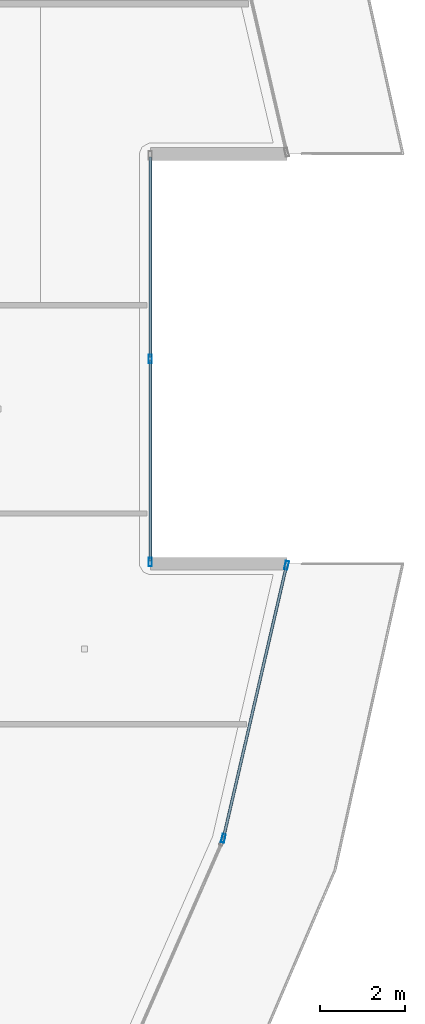
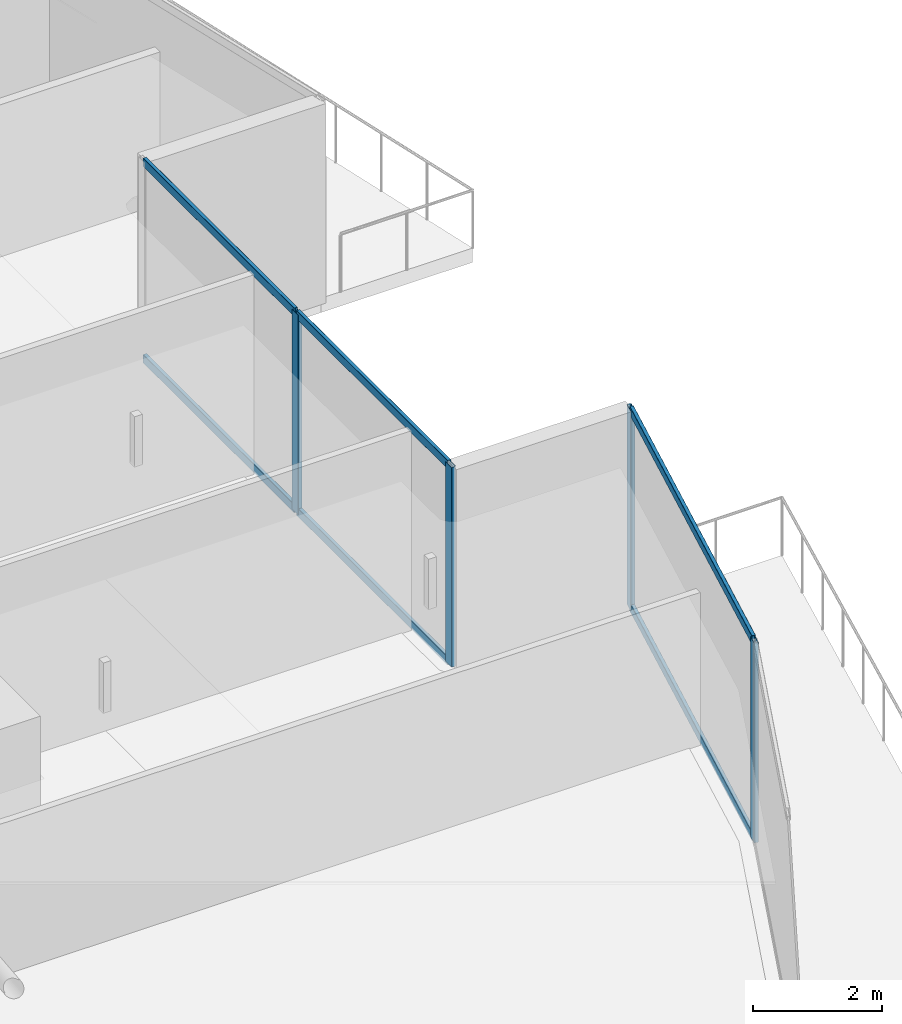
# One storey, part 15 of 43: 10 members, 2 elements without a shape of their own.
"""IFC4 building model written with IfcOpenShell, lengths in metres."""

from ifc_helpers import new_model, si_unit, direction, frame, origin, origin_2d, place, context, subcontext, project, spatial, hollow_rectangle, extrude, material, layer, layer_set, material_profile, profile_set, type_object, element, aggregate, save


model = new_model("IFC4")

# Units and contexts
model_context = context("Model", 3, precision=1e-05, world=origin(), true_north=direction((0.0, 1.0)))
body_context = subcontext(model_context, "Body", "Model", "MODEL_VIEW")
ifc_project = project(units=[si_unit("LENGTHUNIT", "METRE"), si_unit("AREAUNIT", "SQUARE_METRE"), si_unit("VOLUMEUNIT", "CUBIC_METRE"), si_unit("PLANEANGLEUNIT", "RADIAN"), si_unit("MASSUNIT", "GRAM", prefix="KILO")], contexts=[model_context])

# Site, building, storey
site_placement = place(None, origin())
site = spatial("IfcSite", under=ifc_project, at=site_placement, CompositionType="ELEMENT")
building_placement = place(site_placement, origin())
building = spatial("IfcBuilding", under=site, at=building_placement, Name="Qorvath Tower", CompositionType="ELEMENT")
storey_placement = place(building_placement, frame((0.0, 0.0, 150.300048828125)))
storey = spatial("IfcBuildingStorey", under=building, at=storey_placement, Name="L34", CompositionType="ELEMENT", Elevation=150.300048828125)

# Curtain wall, members
ifc_material_1 = material(Name="Anodised aluminium and triple low-E glass", Category="aluminium")
ifc_layer = layer(ifc_material_1, 0.179931640625)
ifc_layer_set = layer_set([ifc_layer], Name="CW-SYS-5")
curtain_wall_type = type_object("IfcCurtainWallType", Name="CW-SYS-5", PredefinedType="NOTDEFINED", material=ifc_layer_set)
curtain_wall_1_placement = place(storey_placement, origin())
curtain_wall_1 = element("IfcCurtainWall", 1, at=curtain_wall_1_placement, inside=storey, type_object=curtain_wall_type, Name="Curtain Wall CW-5 CW-T-L34-7.1", PredefinedType="NOTDEFINED")
ifc_material_2 = material(Name="Anodised aluminium 6063-T6", Category="aluminium")
ifc_material_profile_1 = material_profile(ifc_material_2, hollow_rectangle(XDim=0.074951171875, YDim=0.199951171875, WallThickness=0.00390625, InnerFilletRadius=0.00390625, OuterFilletRadius=0.008056640625, at=origin_2d()), Name="CWM 200x75")
ifc_profile_set_1 = profile_set([ifc_material_profile_1], Name="Anodised aluminium 6063-T6")
member_type_1 = type_object("IfcMemberType", Name="CWM-200", PredefinedType="MULLION", material=ifc_profile_set_1)
member_1_placement = place(storey_placement, frame((2.047607421875, -11.224365234375, 0.0), z_axis=(0.0, 0.0, 1.0), x_axis=(-0.974212877703, 0.225630824395, 0.0)))
member_1 = element("IfcMember", 2, at=member_1_placement, type_object=member_type_1, Name="CW-5 mullion 1", PredefinedType="MULLION", context=body_context, shape_type="SweptSolid", body=[
    extrude(hollow_rectangle(XDim=0.074951171875, YDim=0.199951171875, WallThickness=0.00390625, InnerFilletRadius=0.00390625, OuterFilletRadius=0.008056640625, at=origin_2d()), origin(), (0.0, 0.0, 1.0), 3.780029296875),
])
member_2_placement = place(storey_placement, frame((3.528076171875, -4.831787109375, 0.0), z_axis=(0.0, 0.0, 1.0), x_axis=(-0.974212877703, 0.225630824395, 0.0)))
member_2 = element("IfcMember", 3, at=member_2_placement, type_object=member_type_1, Name="CW-5 mullion 2", PredefinedType="MULLION", context=body_context, shape_type="SweptSolid", body=[
    extrude(hollow_rectangle(XDim=0.074951171875, YDim=0.199951171875, WallThickness=0.00390625, InnerFilletRadius=0.00390625, OuterFilletRadius=0.008056640625, at=origin_2d()), origin(), (0.0, 0.0, 1.0), 3.780029296875),
])

curtain_wall_2_placement = place(storey_placement, origin())
curtain_wall_2 = element("IfcCurtainWall", 4, at=curtain_wall_2_placement, inside=storey, type_object=curtain_wall_type, Name="Curtain Wall CW-5 CW-T-L34-9.1", PredefinedType="NOTDEFINED")
member_3_placement = place(storey_placement, frame((0.33984375, -4.7578125, 0.0), z_axis=(0.0, 0.0, 1.0), x_axis=(-1.0, 0.0, 0.0)))
member_3 = element("IfcMember", 5, at=member_3_placement, type_object=member_type_1, Name="CW-5 mullion 1", PredefinedType="MULLION", context=body_context, shape_type="SweptSolid", body=[
    extrude(hollow_rectangle(XDim=0.074951171875, YDim=0.199951171875, WallThickness=0.00390625, InnerFilletRadius=0.00390625, OuterFilletRadius=0.008056640625, at=origin_2d()), origin(), (0.0, 0.0, 1.0), 3.780029296875),
])
member_4_placement = place(storey_placement, frame((0.33984375, 0.0, 0.0), z_axis=(0.0, 0.0, 1.0), x_axis=(-1.0, 0.0, 0.0)))
member_4 = element("IfcMember", 6, at=member_4_placement, type_object=member_type_1, Name="CW-5 mullion 2", PredefinedType="MULLION", context=body_context, shape_type="SweptSolid", body=[
    extrude(hollow_rectangle(XDim=0.074951171875, YDim=0.199951171875, WallThickness=0.00390625, InnerFilletRadius=0.00390625, OuterFilletRadius=0.008056640625, at=origin_2d()), origin(), (0.0, 0.0, 1.0), 3.780029296875),
])

# Member
ifc_material_3 = material(Name="Anodised aluminium 6063-T6", Category="aluminium")
ifc_material_profile_2 = material_profile(ifc_material_3, hollow_rectangle(XDim=0.06494140625, YDim=0.159912109375, WallThickness=0.00341796875, InnerFilletRadius=0.00341796875, OuterFilletRadius=0.007080078125, at=origin_2d()), Name="CWT 160x65")
ifc_profile_set_2 = profile_set([ifc_material_profile_2], Name="Anodised aluminium 6063-T6")
member_type_2 = type_object("IfcMemberType", Name="CWT-160", PredefinedType="USERDEFINED", material=ifc_profile_set_2)
member_5_placement = place(storey_placement, frame((2.055908203125, -11.18798828125, 0.032470703125), z_axis=(0.225656521927, 0.974206925715, 0.0), x_axis=(-0.974206925715, 0.225656521927, 0.0)))
member_5 = element("IfcMember", 7, at=member_5_placement, type_object=member_type_2, Name="CW-5 transom 1.1", ObjectType="TRANSOM", PredefinedType="USERDEFINED", context=body_context, shape_type="SweptSolid", body=[
    extrude(hollow_rectangle(XDim=0.06494140625, YDim=0.159912109375, WallThickness=0.00341796875, InnerFilletRadius=0.00341796875, OuterFilletRadius=0.007080078125, at=origin_2d()), origin(), (0.0, 0.0, 1.0), 6.487060546875),
])

member_6_placement = place(storey_placement, frame((2.055908203125, -11.18798828125, 3.74755859375), z_axis=(0.225656521927, 0.974206925715, 0.0), x_axis=(-0.974206925715, 0.225656521927, 0.0)))
member_6 = element("IfcMember", 8, at=member_6_placement, type_object=member_type_2, Name="CW-5 transom 1.2", ObjectType="TRANSOM", PredefinedType="USERDEFINED", context=body_context, shape_type="SweptSolid", body=[
    extrude(hollow_rectangle(XDim=0.06494140625, YDim=0.159912109375, WallThickness=0.00341796875, InnerFilletRadius=0.00341796875, OuterFilletRadius=0.007080078125, at=origin_2d()), origin(), (0.0, 0.0, 1.0), 6.487060546875),
])

aggregate(curtain_wall_1, [member_1, member_2, member_5, member_6])

member_7_placement = place(storey_placement, frame((0.33984375, -4.72021484375, 0.032470703125), z_axis=(0.0, 1.0, 0.0), x_axis=(-1.0, 0.0, 0.0)))
member_7 = element("IfcMember", 9, at=member_7_placement, type_object=member_type_2, Name="CW-5 transom 1.1", ObjectType="TRANSOM", PredefinedType="USERDEFINED", context=body_context, shape_type="SweptSolid", body=[
    extrude(hollow_rectangle(XDim=0.06494140625, YDim=0.159912109375, WallThickness=0.00341796875, InnerFilletRadius=0.00341796875, OuterFilletRadius=0.007080078125, at=origin_2d()), origin(), (0.0, 0.0, 1.0), 4.6826171875),
])

member_8_placement = place(storey_placement, frame((0.33984375, -4.72021484375, 3.74755859375), z_axis=(0.0, 1.0, 0.0), x_axis=(-1.0, 0.0, 0.0)))
member_8 = element("IfcMember", 10, at=member_8_placement, type_object=member_type_2, Name="CW-5 transom 1.2", ObjectType="TRANSOM", PredefinedType="USERDEFINED", context=body_context, shape_type="SweptSolid", body=[
    extrude(hollow_rectangle(XDim=0.06494140625, YDim=0.159912109375, WallThickness=0.00341796875, InnerFilletRadius=0.00341796875, OuterFilletRadius=0.007080078125, at=origin_2d()), origin(), (0.0, 0.0, 1.0), 4.6826171875),
])

member_9_placement = place(storey_placement, frame((0.33984375, 0.03759765625, 0.032470703125), z_axis=(0.0, 1.0, 0.0), x_axis=(-1.0, 0.0, 0.0)))
member_9 = element("IfcMember", 11, at=member_9_placement, type_object=member_type_2, Name="CW-5 transom 2.1", ObjectType="TRANSOM", PredefinedType="USERDEFINED", context=body_context, shape_type="SweptSolid", body=[
    extrude(hollow_rectangle(XDim=0.06494140625, YDim=0.159912109375, WallThickness=0.00341796875, InnerFilletRadius=0.00341796875, OuterFilletRadius=0.007080078125, at=origin_2d()), origin(), (0.0, 0.0, 1.0), 4.6826171875),
])

member_10_placement = place(storey_placement, frame((0.33984375, 0.03759765625, 3.74755859375), z_axis=(0.0, 1.0, 0.0), x_axis=(-1.0, 0.0, 0.0)))
member_10 = element("IfcMember", 12, at=member_10_placement, type_object=member_type_2, Name="CW-5 transom 2.2", ObjectType="TRANSOM", PredefinedType="USERDEFINED", context=body_context, shape_type="SweptSolid", body=[
    extrude(hollow_rectangle(XDim=0.06494140625, YDim=0.159912109375, WallThickness=0.00341796875, InnerFilletRadius=0.00341796875, OuterFilletRadius=0.007080078125, at=origin_2d()), origin(), (0.0, 0.0, 1.0), 4.6826171875),
])

aggregate(curtain_wall_2, [member_3, member_4, member_7, member_8, member_9, member_10])

save(model, "model.ifc")
